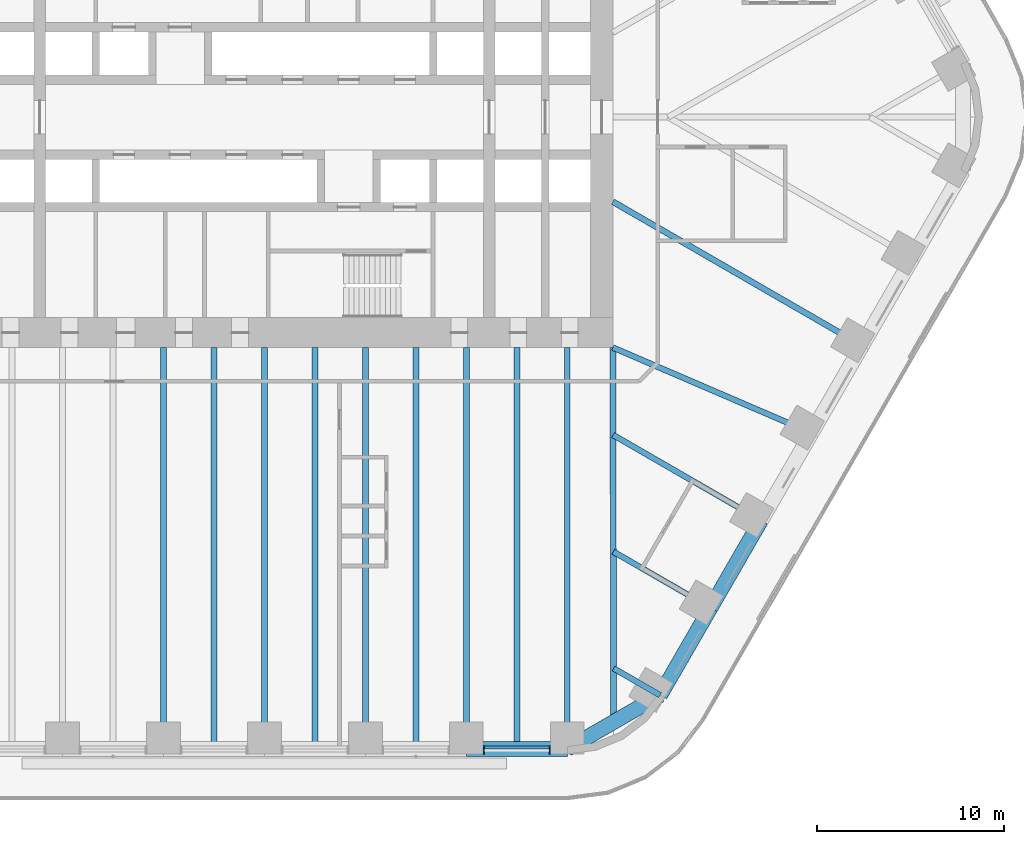
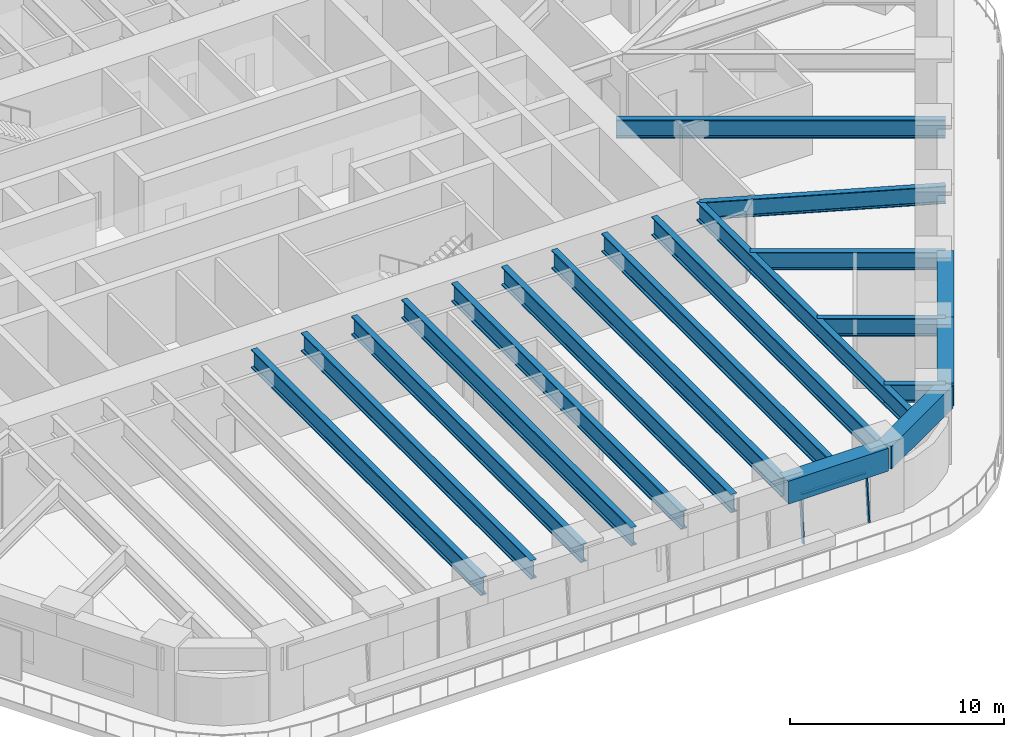
# One storey, part 5 of 24: 19 beams, 3 members, 1 element without a shape of its own.
"""IFC4 building model written with IfcOpenShell, lengths in metres."""

from ifc_helpers import new_model, si_unit, direction, frame, origin, origin_2d, place, context, subcontext, project, spatial, rectangle, i_section, extrude, material, material_profile, profile_set, type_object, element, aggregate, save


model = new_model("IFC4")

# Units and contexts
model_context = context("Model", 3, precision=1e-05, world=origin(), true_north=direction((0.0, 1.0)))
body_context = subcontext(model_context, "Body", "Model", "MODEL_VIEW")
ifc_project = project(units=[si_unit("LENGTHUNIT", "METRE"), si_unit("AREAUNIT", "SQUARE_METRE"), si_unit("VOLUMEUNIT", "CUBIC_METRE"), si_unit("PLANEANGLEUNIT", "RADIAN"), si_unit("MASSUNIT", "GRAM", prefix="KILO")], contexts=[model_context])

# Site, building, storey
site_placement = place(None, origin())
site = spatial("IfcSite", under=ifc_project, at=site_placement, CompositionType="ELEMENT")
building_placement = place(site_placement, origin())
building = spatial("IfcBuilding", under=site, at=building_placement, Name="Tarfa Lantern Tower", CompositionType="ELEMENT")
storey_placement = place(building_placement, frame((0.0, 0.0, 90.699951171875)))
storey = spatial("IfcBuildingStorey", under=building, at=storey_placement, Name="L20", CompositionType="ELEMENT", Elevation=90.699951171875)

# Curtain wall, members
ifc_material_1 = material(Name="Aluminium framed curtain wall", Category="aluminium")
curtain_wall_type = type_object("IfcCurtainWallType", Name="CW1 CANTED GLAZING LOW ZONE 2700", PredefinedType="USERDEFINED", material=ifc_material_1)
curtain_wall_placement = place(storey_placement, origin())
curtain_wall = element("IfcCurtainWall", 1, at=curtain_wall_placement, inside=storey, type_object=curtain_wall_type, Name="CW1 S L20", ObjectType="CURTAIN WALL", PredefinedType="USERDEFINED")
ifc_material_2 = material(Name="Aluminium mullion", Category="aluminium")
ifc_material_profile_1 = material_profile(ifc_material_2, rectangle(XDim=0.06494140625, YDim=0.199951171875, at=origin_2d()), Name="AL MULLION 65x200")
ifc_profile_set_1 = profile_set([ifc_material_profile_1], Name="Aluminium mullion")
member_type_1 = type_object("IfcMemberType", Name="CWM1 MULLION 65x200", PredefinedType="MULLION", material=ifc_profile_set_1)
member_1_placement = place(storey_placement, frame((11.709716796875, -33.89990234375, 0.0), z_axis=(0.0, 0.092199863775, 0.995740520979), x_axis=(-1.0, 0.0, 0.0)))
member_1 = element("IfcMember", 2, at=member_1_placement, type_object=member_type_1, Name="CW1 mullion 1", PredefinedType="MULLION", context=body_context, shape_type="SweptSolid", body=[
    extrude(rectangle(XDim=0.06494140625, YDim=0.199951171875, at=origin_2d()), origin(), (0.0, 0.0, 1.0), 2.71142578125),
])
member_2_placement = place(storey_placement, frame((15.2333984375, -33.89990234375, 0.0), z_axis=(0.0, 0.092199863775, 0.995740520979), x_axis=(-1.0, 0.0, 0.0)))
member_2 = element("IfcMember", 3, at=member_2_placement, type_object=member_type_1, Name="CW1 mullion 2", PredefinedType="MULLION", context=body_context, shape_type="SweptSolid", body=[
    extrude(rectangle(XDim=0.06494140625, YDim=0.199951171875, at=origin_2d()), origin(), (0.0, 0.0, 1.0), 2.71142578125),
])
ifc_material_3 = material(Name="Aluminium transom", Category="aluminium")
ifc_material_profile_2 = material_profile(ifc_material_3, rectangle(XDim=0.14990234375, YDim=0.06494140625, at=origin_2d()), Name="AL TRANSOM 150x65")
ifc_profile_set_2 = profile_set([ifc_material_profile_2], Name="Aluminium transom")
member_type_2 = type_object("IfcMemberType", Name="CWT1 TRANSOM 150x65", PredefinedType="USERDEFINED", material=ifc_profile_set_2)
member_3_placement = place(storey_placement, frame((11.7421875, -33.653076171875, 2.66748046875), z_axis=(1.0, 0.0, 0.0), x_axis=(0.0, 1.0, 0.0)))
member_3 = element("IfcMember", 4, at=member_3_placement, type_object=member_type_2, Name="CW1 transom 1.2", ObjectType="TRANSOM", PredefinedType="USERDEFINED", context=body_context, shape_type="SweptSolid", body=[
    extrude(rectangle(XDim=0.14990234375, YDim=0.06494140625, at=origin_2d()), origin(), (0.0, 0.0, 1.0), 3.458740234375),
])
aggregate(curtain_wall, [member_1, member_2, member_3])

# Beams
ifc_material_4 = material(Name="Concrete C80/95", Category="concrete")
ifc_material_profile_3 = material_profile(ifc_material_4, rectangle(XDim=0.800048828125, YDim=1.300048828125, at=origin_2d()), Name="RC 800x1300")
ifc_profile_set_3 = profile_set([ifc_material_profile_3], Name="Concrete C80/95")
beam_type_1 = type_object("IfcBeamType", Name="EB1 RC 800x1300", PredefinedType="SPANDREL", material=ifc_profile_set_3)
beam_1_placement = place(storey_placement, frame((10.777099609375, -33.719970703125, 3.35009765625), z_axis=(1.0, 0.0, 0.0), x_axis=(0.0, 1.0, 0.0)))
element("IfcBeam", 5, at=beam_1_placement, inside=storey, type_object=beam_type_1, Name="Edge beam S5", PredefinedType="SPANDREL", context=body_context, shape_type="SweptSolid", body=[
    extrude(rectangle(XDim=0.800048828125, YDim=1.300048828125, at=origin_2d()), origin(), (0.0, 0.0, 1.0), 5.388671875),
])
beam_2_placement = place(storey_placement, frame((16.165771484375, -33.719970703125, 3.35009765625), z_axis=(0.866033479681, 0.499986011877, 0.0), x_axis=(-0.499986011877, 0.866033479681, 0.0)))
element("IfcBeam", 6, at=beam_2_placement, inside=storey, type_object=beam_type_1, Name="Edge beam S6", PredefinedType="SPANDREL", context=body_context, shape_type="SweptSolid", body=[
    extrude(rectangle(XDim=0.800048828125, YDim=1.300048828125, at=origin_2d()), origin(), (0.0, 0.0, 1.0), 5.719970703125),
])
for number, where, z_axis, x_axis, name in (
    (7, (21.119384765625, -30.860107421875, 3.35009765625), (0.499998287579, 0.866026392449, 0.0), (-0.866026392449, 0.499998287579, 0.0), "Edge beam SE0"),
    (8, (23.813720703125, -26.193359375, 3.35009765625), (0.499998287579, 0.866026392449, 0.0), (-0.866026392449, 0.499998287579, 0.0), "Edge beam SE1"),
):
    element("IfcBeam", number, at=place(storey_placement, frame(where, z_axis=z_axis, x_axis=x_axis)), inside=storey, type_object=beam_type_1, Name=name, PredefinedType="SPANDREL", context=body_context, shape_type="SweptSolid", body=[
        extrude(rectangle(XDim=0.800048828125, YDim=1.300048828125, at=origin_2d()), origin(), (0.0, 0.0, 1.0), 5.388671875),
    ])
ifc_material_5 = material(Name="Steel S460M", Category="steel")
ifc_material_profile_4 = material_profile(ifc_material_5, i_section(OverallWidth=0.302001953125, OverallDepth=1.008056640625, WebThickness=0.02099609375, FlangeThickness=0.0400390625, FilletRadius=0.030029296875, at=origin_2d()), Name="UB1016x305x349")
ifc_profile_set_4 = profile_set([ifc_material_profile_4], Name="Steel S460M")
beam_type_2 = type_object("IfcBeamType", Name="UB1016x305x349", PredefinedType="BEAM", material=ifc_profile_set_4)
beam_3_placement = place(storey_placement, frame((21.119384765625, -30.860107421875, 3.49609375), z_axis=(-0.866012580594, 0.500022209759, 0.0), x_axis=(-0.500022209759, -0.866012580594, 0.0)))
element("IfcBeam", 9, at=beam_3_placement, inside=storey, type_object=beam_type_2, Name="Floor beam SE0", PredefinedType="BEAM", context=body_context, shape_type="SweptSolid", body=[
    extrude(i_section(OverallWidth=0.302001953125, OverallDepth=1.008056640625, WebThickness=0.02099609375, FlangeThickness=0.0400390625, FilletRadius=0.030029296875, at=origin_2d()), origin(), (0.0, 0.0, 1.0), 2.866943359375),
])
beam_4_placement = place(storey_placement, frame((23.813720703125, -26.193359375, 3.49609375), z_axis=(-0.866015997389, 0.500016292001, 0.0), x_axis=(-0.500016292001, -0.866015997389, 0.0)))
element("IfcBeam", 10, at=beam_4_placement, inside=storey, type_object=beam_type_2, Name="Floor beam SE1", PredefinedType="BEAM", context=body_context, shape_type="SweptSolid", body=[
    extrude(i_section(OverallWidth=0.302001953125, OverallDepth=1.008056640625, WebThickness=0.02099609375, FlangeThickness=0.0400390625, FilletRadius=0.030029296875, at=origin_2d()), origin(), (0.0, 0.0, 1.0), 5.993408203125),
])
beam_5_placement = place(storey_placement, frame((26.508056640625, -21.526611328125, 3.49609375), z_axis=(-0.866035355799, 0.49998276221, 0.0), x_axis=(-0.49998276221, -0.866035355799, 0.0)))
element("IfcBeam", 11, at=beam_5_placement, inside=storey, type_object=beam_type_2, Name="Floor beam SE2", PredefinedType="BEAM", context=body_context, shape_type="SweptSolid", body=[
    extrude(i_section(OverallWidth=0.302001953125, OverallDepth=1.008056640625, WebThickness=0.02099609375, FlangeThickness=0.0400390625, FilletRadius=0.030029296875, at=origin_2d()), origin(), (0.0, 0.0, 1.0), 9.119873046875),
])
beam_6_placement = place(storey_placement, frame((29.202392578125, -16.860107421875, 3.49609375), z_axis=(-0.918635483867, 0.395106122175, 0.0), x_axis=(-0.395106122175, -0.918635483867, 0.0)))
element("IfcBeam", 12, at=beam_6_placement, inside=storey, type_object=beam_type_2, Name="Floor beam SE3", PredefinedType="BEAM", context=body_context, shape_type="SweptSolid", body=[
    extrude(i_section(OverallWidth=0.302001953125, OverallDepth=1.008056640625, WebThickness=0.02099609375, FlangeThickness=0.0400390625, FilletRadius=0.030029296875, at=origin_2d()), origin(), (0.0, 0.0, 1.0), 11.541259765625),
])
ifc_material_profile_5 = material_profile(ifc_material_5, i_section(OverallWidth=0.314208984375, OverallDepth=1.055908203125, WebThickness=0.035888671875, FlangeThickness=0.06396484375, FilletRadius=0.030029296875, at=origin_2d()), Name="UB1016x305x584")
ifc_profile_set_5 = profile_set([ifc_material_profile_5], Name="Steel S460M")
beam_type_3 = type_object("IfcBeamType", Name="UB1016x305x584", PredefinedType="BEAM", material=ifc_profile_set_5)
beam_7_placement = place(storey_placement, frame((18.60009765625, -12.300048828125, 3.47216796875), z_axis=(0.00212508222, -0.99999774201, 0.0), x_axis=(0.99999774201, 0.00212508222, 0.0)))
element("IfcBeam", 13, at=beam_7_placement, inside=storey, type_object=beam_type_3, Name="Hip girder SE", PredefinedType="BEAM", context=body_context, shape_type="SweptSolid", body=[
    extrude(i_section(OverallWidth=0.314208984375, OverallDepth=1.055908203125, WebThickness=0.035888671875, FlangeThickness=0.06396484375, FilletRadius=0.030029296875, at=origin_2d()), origin(), (0.0, 0.0, 1.0), 19.989990234375),
])
for number, where, z_axis, x_axis, name in (
    (14, (-5.388671875, -33.719970703125, 3.47216796875), (0.0, 1.0, 0.0), (-1.0, 0.0, 0.0), "Floor beam S2"),
    (15, (0.0, -33.719970703125, 3.47216796875), (0.0, 1.0, 0.0), (-1.0, 0.0, 0.0), "Floor beam S3"),
    (16, (5.388671875, -33.719970703125, 3.47216796875), (0.0, 1.0, 0.0), (-1.0, 0.0, 0.0), "Floor beam S4"),
    (17, (10.777099609375, -33.719970703125, 3.47216796875), (0.0, 1.0, 0.0), (-1.0, 0.0, 0.0), "Floor beam S5"),
    (18, (16.165771484375, -33.719970703125, 3.47216796875), (0.0, 1.0, 0.0), (-1.0, 0.0, 0.0), "Floor beam S6"),
):
    element("IfcBeam", number, at=place(storey_placement, frame(where, z_axis=z_axis, x_axis=x_axis)), inside=storey, type_object=beam_type_3, Name=name, PredefinedType="BEAM", context=body_context, shape_type="SweptSolid", body=[
        extrude(i_section(OverallWidth=0.314208984375, OverallDepth=1.055908203125, WebThickness=0.035888671875, FlangeThickness=0.06396484375, FilletRadius=0.030029296875, at=origin_2d()), origin(), (0.0, 0.0, 1.0), 21.419921875),
    ])
beam_8_placement = place(storey_placement, frame((31.896728515625, -12.193359375, 3.47216796875), z_axis=(-0.866026971665, 0.499997284341, 0.0), x_axis=(-0.499997284341, -0.866026971665, 0.0)))
element("IfcBeam", 19, at=beam_8_placement, inside=storey, type_object=beam_type_3, Name="Floor beam SE4", PredefinedType="BEAM", context=body_context, shape_type="SweptSolid", body=[
    extrude(i_section(OverallWidth=0.314208984375, OverallDepth=1.055908203125, WebThickness=0.035888671875, FlangeThickness=0.06396484375, FilletRadius=0.030029296875, at=origin_2d()), origin(), (0.0, 0.0, 1.0), 15.353515625),
])
for number, where, z_axis, x_axis, name in (
    (20, (-2.6943359375, -33.719970703125, 3.47216796875), (0.0, 1.0, 0.0), (-1.0, 0.0, 0.0), "Floor beam S2M"),
    (21, (2.6943359375, -33.719970703125, 3.47216796875), (0.0, 1.0, 0.0), (-1.0, 0.0, 0.0), "Floor beam S3M"),
    (22, (8.0830078125, -33.719970703125, 3.47216796875), (0.0, 1.0, 0.0), (-1.0, 0.0, 0.0), "Floor beam S4M"),
    (23, (13.471435546875, -33.719970703125, 3.47216796875), (0.0, 1.0, 0.0), (-1.0, 0.0, 0.0), "Floor beam S5M"),
):
    element("IfcBeam", number, at=place(storey_placement, frame(where, z_axis=z_axis, x_axis=x_axis)), inside=storey, type_object=beam_type_3, Name=name, PredefinedType="BEAM", context=body_context, shape_type="SweptSolid", body=[
        extrude(i_section(OverallWidth=0.314208984375, OverallDepth=1.055908203125, WebThickness=0.035888671875, FlangeThickness=0.06396484375, FilletRadius=0.030029296875, at=origin_2d()), origin(), (0.0, 0.0, 1.0), 21.419921875),
    ])

save(model, "model.ifc")
